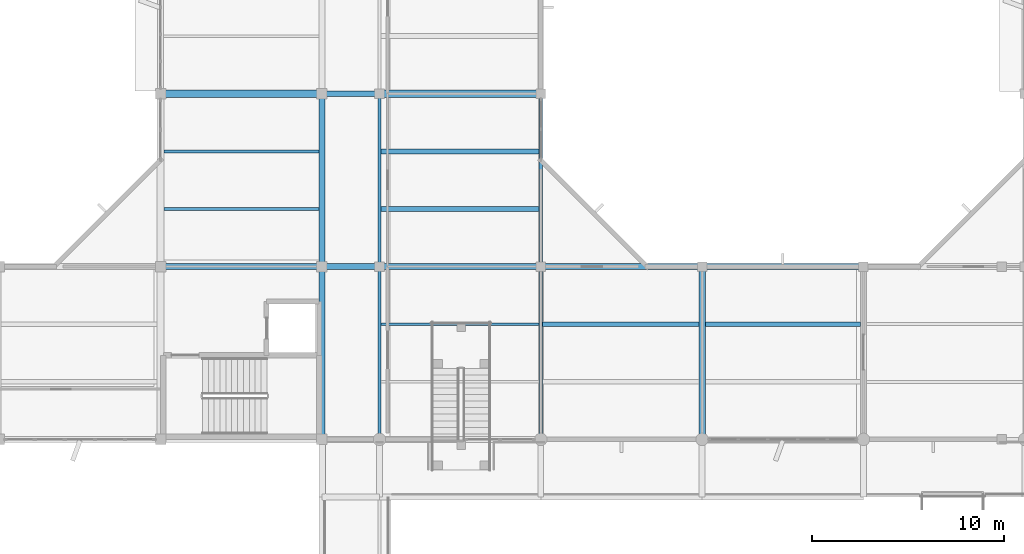
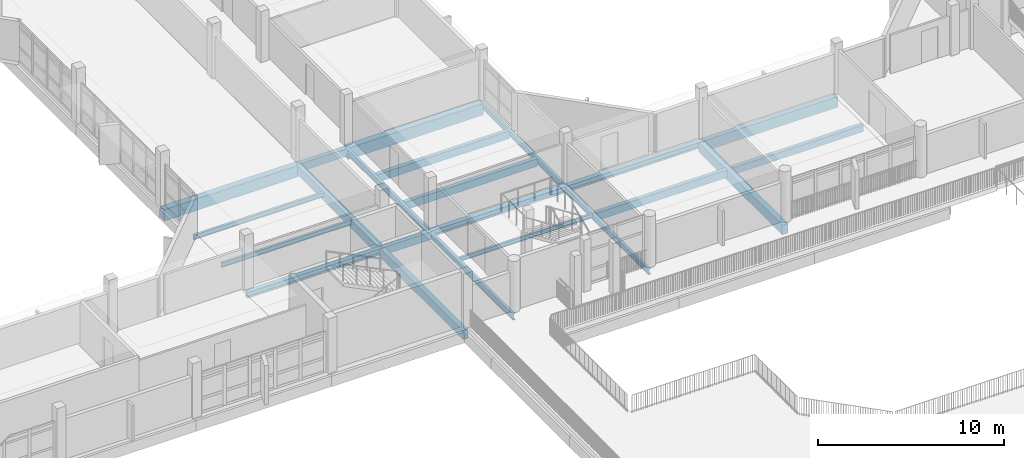
# One storey, part 9 of 51: 22 beams.
"""IFC4 building model written with IfcOpenShell, lengths in metres."""

from ifc_helpers import new_model, si_unit, direction, frame, origin, origin_2d, place, context, subcontext, project, spatial, rectangle, i_section, extrude, material, material_profile, profile_set, type_object, element, save


model = new_model("IFC4")

# Units and contexts
model_context = context("Model", 3, precision=1e-05, world=origin(), true_north=direction((0.0, 1.0)))
body_context = subcontext(model_context, "Body", "Model", "MODEL_VIEW")
ifc_project = project(units=[si_unit("LENGTHUNIT", "METRE"), si_unit("AREAUNIT", "SQUARE_METRE"), si_unit("VOLUMEUNIT", "CUBIC_METRE"), si_unit("PLANEANGLEUNIT", "RADIAN"), si_unit("MASSUNIT", "GRAM", prefix="KILO")], contexts=[model_context])

# Site, building, storey
site_placement = place(None, origin())
site = spatial("IfcSite", under=ifc_project, at=site_placement, CompositionType="ELEMENT")
building_placement = place(site_placement, origin())
building = spatial("IfcBuilding", under=site, at=building_placement, Name="Vanh Quang Courtyard School", CompositionType="ELEMENT")
storey_placement = place(building_placement, frame((0.0, 0.0, 11.39990234375)))
storey = spatial("IfcBuildingStorey", under=building, at=storey_placement, Name="L03", CompositionType="ELEMENT", Elevation=11.39990234375)

# Beams
ifc_material_1 = material(Name="Concrete C35/45", Category="concrete")
ifc_material_profile_1 = material_profile(ifc_material_1, rectangle(XDim=0.300048828125, YDim=0.5, at=origin_2d()), Name="RC-BM 300x500")
ifc_profile_set_1 = profile_set([ifc_material_profile_1], Name="Concrete C35/45")
beam_type_1 = type_object("IfcBeamType", Name="BM-RC-300x500", PredefinedType="BEAM", material=ifc_profile_set_1)
for number, where, z_axis, x_axis, name in (
    (1, (74.39990234375, 41.39990234375, -0.5498046875), (1.0, 0.0, 0.0), (0.0, 1.0, 0.0), "Beam B-08 (L03)"),
    (2, (74.39990234375, 50.39990234375, -0.5498046875), (1.0, 0.0, 0.0), (0.0, 1.0, 0.0), "Beam B-08 (L03)"),
):
    element("IfcBeam", number, at=place(storey_placement, frame(where, z_axis=z_axis, x_axis=x_axis)), inside=storey, type_object=beam_type_1, Name=name, PredefinedType="BEAM", context=body_context, shape_type="SweptSolid", body=[
        extrude(rectangle(XDim=0.300048828125, YDim=0.5, at=origin_2d()), origin(), (0.0, 0.0, 1.0), 3.0),
    ])
ifc_material_profile_2 = material_profile(ifc_material_1, rectangle(XDim=0.300048828125, YDim=0.60009765625, at=origin_2d()), Name="RC-BM 300x600")
ifc_profile_set_2 = profile_set([ifc_material_profile_2], Name="Concrete C35/45")
beam_type_2 = type_object("IfcBeamType", Name="BM-RC-300x600", PredefinedType="BEAM", material=ifc_profile_set_2)
for number, where, z_axis, x_axis, name in (
    (3, (74.39990234375, 32.39990234375, -0.619873046875), (0.0, 1.0, 0.0), (-1.0, 0.0, 0.0), "Beam B-06 (L03)"),
    (4, (74.39990234375, 41.39990234375, -0.599853515625), (0.0, 1.0, 0.0), (-1.0, 0.0, 0.0), "Beam B-06 (L03)"),
):
    element("IfcBeam", number, at=place(storey_placement, frame(where, z_axis=z_axis, x_axis=x_axis)), inside=storey, type_object=beam_type_2, Name=name, PredefinedType="BEAM", context=body_context, shape_type="SweptSolid", body=[
        extrude(rectangle(XDim=0.300048828125, YDim=0.60009765625, at=origin_2d()), origin(), (0.0, 0.0, 1.0), 9.0),
    ])
ifc_material_profile_3 = material_profile(ifc_material_1, rectangle(XDim=0.35009765625, YDim=0.64990234375, at=origin_2d()), Name="RC-BM 350x650")
ifc_profile_set_3 = profile_set([ifc_material_profile_3], Name="Concrete C35/45")
beam_type_3 = type_object("IfcBeamType", Name="BM-RC-350x650", PredefinedType="BEAM", material=ifc_profile_set_3)
beam_1_placement = place(storey_placement, frame((94.199951171875, 32.39990234375, -0.64501953125), z_axis=(0.0, 1.0, 0.0), x_axis=(-1.0, 0.0, 0.0)))
element("IfcBeam", 5, at=beam_1_placement, inside=storey, type_object=beam_type_3, Name="Beam B-05 (L03)", PredefinedType="BEAM", context=body_context, shape_type="SweptSolid", body=[
    extrude(rectangle(XDim=0.35009765625, YDim=0.64990234375, at=origin_2d()), origin(), (0.0, 0.0, 1.0), 9.0),
])
ifc_material_profile_4 = material_profile(ifc_material_1, rectangle(XDim=0.39990234375, YDim=0.75, at=origin_2d()), Name="RC-BM 400x750")
ifc_profile_set_4 = profile_set([ifc_material_profile_4], Name="Concrete C35/45")
beam_type_4 = type_object("IfcBeamType", Name="BM-RC-400x750", PredefinedType="BEAM", material=ifc_profile_set_4)
beam_2_placement = place(storey_placement, frame((66.0, 50.39990234375, -0.6748046875), z_axis=(1.0, 0.0, 0.0), x_axis=(0.0, 1.0, 0.0)))
element("IfcBeam", 6, at=beam_2_placement, inside=storey, type_object=beam_type_4, Name="Beam B-03 (L03)", PredefinedType="BEAM", context=body_context, shape_type="SweptSolid", body=[
    extrude(rectangle(XDim=0.39990234375, YDim=0.75, at=origin_2d()), origin(), (0.0, 0.0, 1.0), 8.39990234375),
])
beam_3_placement = place(storey_placement, frame((77.39990234375, 50.39990234375, -0.635009765625), z_axis=(1.0, 0.0, 0.0), x_axis=(0.0, 1.0, 0.0)))
element("IfcBeam", 7, at=beam_3_placement, inside=storey, type_object=beam_type_4, Name="Beam B-03 (L03)", PredefinedType="BEAM", context=body_context, shape_type="SweptSolid", body=[
    extrude(rectangle(XDim=0.39990234375, YDim=0.75, at=origin_2d()), origin(), (0.0, 0.0, 1.0), 8.400146484375),
])
ifc_material_profile_5 = material_profile(ifc_material_1, rectangle(XDim=0.300048828125, YDim=0.699951171875, at=origin_2d()), Name="RC-SP 300x700")
ifc_profile_set_5 = profile_set([ifc_material_profile_5], Name="Concrete C35/45")
beam_type_5 = type_object("IfcBeamType", Name="BM-SP-300x700", PredefinedType="SPANDREL", material=ifc_profile_set_5)
beam_4_placement = place(storey_placement, frame((94.199951171875, 41.39990234375, -0.60986328125), z_axis=(1.0, 0.0, 0.0), x_axis=(0.0, 1.0, 0.0)))
element("IfcBeam", 8, at=beam_4_placement, inside=storey, type_object=beam_type_5, Name="Beam BS-01 (L03)", PredefinedType="SPANDREL", context=body_context, shape_type="SweptSolid", body=[
    extrude(rectangle(XDim=0.300048828125, YDim=0.699951171875, at=origin_2d()), origin(), (0.0, 0.0, 1.0), 8.400146484375),
])
ifc_material_2 = material(Name="Structural steel EN 10025-2 S355J2", Category="steel")
ifc_material_profile_6 = material_profile(ifc_material_2, i_section(OverallWidth=0.300048828125, OverallDepth=0.389892578125, WebThickness=0.010986328125, FlangeThickness=0.01904296875, FilletRadius=0.027099609375, at=origin_2d()), Name="HEA 400")
ifc_profile_set_6 = profile_set([ifc_material_profile_6], Name="Structural steel EN 10025-2 S355J2")
beam_type_6 = type_object("IfcBeamType", Name="BM-STL-HEA400", PredefinedType="BEAM", material=ifc_profile_set_6)
beam_5_placement = place(storey_placement, frame((66.0, 41.39990234375, -0.494873046875), z_axis=(1.0, 0.0, 0.0), x_axis=(0.0, 1.0, 0.0)))
element("IfcBeam", 9, at=beam_5_placement, inside=storey, type_object=beam_type_6, Name="Beam SB-08 (L03)", PredefinedType="BEAM", context=body_context, shape_type="SweptSolid", body=[
    extrude(i_section(OverallWidth=0.300048828125, OverallDepth=0.389892578125, WebThickness=0.010986328125, FlangeThickness=0.01904296875, FilletRadius=0.027099609375, at=origin_2d()), origin(), (0.0, 0.0, 1.0), 8.39990234375),
])
beam_6_placement = place(storey_placement, frame((77.39990234375, 41.39990234375, -0.454833984375), z_axis=(1.0, 0.0, 0.0), x_axis=(0.0, 1.0, 0.0)))
element("IfcBeam", 10, at=beam_6_placement, inside=storey, type_object=beam_type_6, Name="Beam SB-08 (L03)", PredefinedType="BEAM", context=body_context, shape_type="SweptSolid", body=[
    extrude(i_section(OverallWidth=0.300048828125, OverallDepth=0.389892578125, WebThickness=0.010986328125, FlangeThickness=0.01904296875, FilletRadius=0.027099609375, at=origin_2d()), origin(), (0.0, 0.0, 1.0), 8.400146484375),
])
beam_7_placement = place(storey_placement, frame((85.800048828125, 41.39990234375, -0.454833984375), z_axis=(1.0, 0.0, 0.0), x_axis=(0.0, 1.0, 0.0)))
element("IfcBeam", 11, at=beam_7_placement, inside=storey, type_object=beam_type_6, Name="Beam SB-08 (L03)", PredefinedType="BEAM", context=body_context, shape_type="SweptSolid", body=[
    extrude(i_section(OverallWidth=0.300048828125, OverallDepth=0.389892578125, WebThickness=0.010986328125, FlangeThickness=0.01904296875, FilletRadius=0.027099609375, at=origin_2d()), origin(), (0.0, 0.0, 1.0), 8.39990234375),
])
ifc_material_profile_7 = material_profile(ifc_material_2, i_section(OverallWidth=0.169921875, OverallDepth=0.360107421875, WebThickness=0.008056640625, FlangeThickness=0.0126953125, FilletRadius=0.01806640625, at=origin_2d()), Name="IPE 360")
ifc_profile_set_7 = profile_set([ifc_material_profile_7], Name="Structural steel EN 10025-2 S355J2")
beam_type_7 = type_object("IfcBeamType", Name="BM-STL-IPE360", PredefinedType="BEAM", material=ifc_profile_set_7)
for number, where, z_axis, x_axis, name in (
    (12, (85.800048828125, 32.39990234375, -0.5), (0.0, 1.0, 0.0), (-1.0, 0.0, 0.0), "Beam SB-06 (L03)"),
    (13, (85.800048828125, 41.39990234375, -0.43994140625), (0.0, 1.0, 0.0), (-1.0, 0.0, 0.0), "Beam SB-06 (L03)"),
):
    element("IfcBeam", number, at=place(storey_placement, frame(where, z_axis=z_axis, x_axis=x_axis)), inside=storey, type_object=beam_type_7, Name=name, PredefinedType="BEAM", context=body_context, shape_type="SweptSolid", body=[
        extrude(i_section(OverallWidth=0.169921875, OverallDepth=0.360107421875, WebThickness=0.008056640625, FlangeThickness=0.0126953125, FilletRadius=0.01806640625, at=origin_2d()), origin(), (0.0, 0.0, 1.0), 9.0),
    ])
ifc_material_profile_8 = material_profile(ifc_material_2, i_section(OverallWidth=0.179931640625, OverallDepth=0.39990234375, WebThickness=0.008544921875, FlangeThickness=0.013427734375, FilletRadius=0.02099609375, at=origin_2d()), Name="IPE 400")
ifc_profile_set_8 = profile_set([ifc_material_profile_8], Name="Structural steel EN 10025-2 S355J2")
beam_type_8 = type_object("IfcBeamType", Name="BM-STL-IPE400", PredefinedType="BEAM", material=ifc_profile_set_8)
for number, where, z_axis, x_axis, name in (
    (14, (77.39990234375, 32.39990234375, -0.52001953125), (0.0, 1.0, 0.0), (-1.0, 0.0, 0.0), "Beam SB-05 (L03)"),
    (15, (77.39990234375, 41.39990234375, -0.4599609375), (0.0, 1.0, 0.0), (-1.0, 0.0, 0.0), "Beam SB-05 (L03)"),
):
    element("IfcBeam", number, at=place(storey_placement, frame(where, z_axis=z_axis, x_axis=x_axis)), inside=storey, type_object=beam_type_8, Name=name, PredefinedType="BEAM", context=body_context, shape_type="SweptSolid", body=[
        extrude(i_section(OverallWidth=0.179931640625, OverallDepth=0.39990234375, WebThickness=0.008544921875, FlangeThickness=0.013427734375, FilletRadius=0.02099609375, at=origin_2d()), origin(), (0.0, 0.0, 1.0), 9.0),
    ])
ifc_material_3 = material(Name="Concrete C30/37", Category="concrete")
ifc_material_profile_9 = material_profile(ifc_material_3, rectangle(XDim=0.25, YDim=0.449951171875, at=origin_2d()), Name="RC-JST 250x450")
ifc_profile_set_9 = profile_set([ifc_material_profile_9], Name="Concrete C30/37")
beam_type_9 = type_object("IfcBeamType", Name="JST-RC-250x450", PredefinedType="JOIST", material=ifc_profile_set_9)
beam_8_placement = place(storey_placement, frame((94.375, 38.39990234375, -0.48486328125), z_axis=(1.0, 0.0, 0.0), x_axis=(0.0, 1.0, 0.0)))
element("IfcBeam", 16, at=beam_8_placement, inside=storey, type_object=beam_type_9, Name="Beam BJ-02 (L03)", PredefinedType="JOIST", context=body_context, shape_type="SweptSolid", body=[
    extrude(rectangle(XDim=0.25, YDim=0.449951171875, at=origin_2d()), origin(), (0.0, 0.0, 1.0), 8.074951171875),
])
ifc_material_profile_10 = material_profile(ifc_material_3, rectangle(XDim=0.25, YDim=0.5, at=origin_2d()), Name="RC-JST 250x500")
ifc_profile_set_10 = profile_set([ifc_material_profile_10], Name="Concrete C30/37")
beam_type_10 = type_object("IfcBeamType", Name="JST-RC-250x500", PredefinedType="JOIST", material=ifc_profile_set_10)
for number, where, z_axis, x_axis, name in (
    (17, (77.489990234375, 44.39990234375, -0.510009765625), (1.0, 0.0, 0.0), (0.0, 1.0, 0.0), "Beam BJ-01 (L03)"),
    (18, (77.489990234375, 47.39990234375, -0.510009765625), (1.0, 0.0, 0.0), (0.0, 1.0, 0.0), "Beam BJ-01 (L03)"),
):
    element("IfcBeam", number, at=place(storey_placement, frame(where, z_axis=z_axis, x_axis=x_axis)), inside=storey, type_object=beam_type_10, Name=name, PredefinedType="JOIST", context=body_context, shape_type="SweptSolid", body=[
        extrude(rectangle(XDim=0.25, YDim=0.5, at=origin_2d()), origin(), (0.0, 0.0, 1.0), 8.22509765625),
    ])
beam_9_placement = place(storey_placement, frame((85.885009765625, 38.39990234375, -0.510009765625), z_axis=(1.0, 0.0, 0.0), x_axis=(0.0, 1.0, 0.0)))
element("IfcBeam", 19, at=beam_9_placement, inside=storey, type_object=beam_type_10, Name="Beam BJ-01 (L03)", PredefinedType="JOIST", context=body_context, shape_type="SweptSolid", body=[
    extrude(rectangle(XDim=0.25, YDim=0.5, at=origin_2d()), origin(), (0.0, 0.0, 1.0), 8.139892578125),
])
ifc_material_profile_11 = material_profile(ifc_material_2, i_section(OverallWidth=0.135009765625, OverallDepth=0.27001953125, WebThickness=0.006591796875, FlangeThickness=0.01025390625, FilletRadius=0.014892578125, at=origin_2d()), Name="IPE 270")
ifc_profile_set_11 = profile_set([ifc_material_profile_11], Name="Structural steel EN 10025-2 S355J2")
beam_type_11 = type_object("IfcBeamType", Name="JST-STL-IPE270", PredefinedType="JOIST", material=ifc_profile_set_11)
beam_10_placement = place(storey_placement, frame((77.489990234375, 38.39990234375, -0.39501953125), z_axis=(1.0, 0.0, 0.0), x_axis=(0.0, 1.0, 0.0)))
element("IfcBeam", 20, at=beam_10_placement, inside=storey, type_object=beam_type_11, Name="Beam SJ-03 (L03)", PredefinedType="JOIST", context=body_context, shape_type="SweptSolid", body=[
    extrude(i_section(OverallWidth=0.135009765625, OverallDepth=0.27001953125, WebThickness=0.006591796875, FlangeThickness=0.01025390625, FilletRadius=0.014892578125, at=origin_2d()), origin(), (0.0, 0.0, 1.0), 8.22509765625),
])
ifc_material_profile_12 = material_profile(ifc_material_2, i_section(OverallWidth=0.14990234375, OverallDepth=0.300048828125, WebThickness=0.007080078125, FlangeThickness=0.0107421875, FilletRadius=0.014892578125, at=origin_2d()), Name="IPE 300")
ifc_profile_set_12 = profile_set([ifc_material_profile_12], Name="Structural steel EN 10025-2 S355J2")
beam_type_12 = type_object("IfcBeamType", Name="JST-STL-IPE300", PredefinedType="JOIST", material=ifc_profile_set_12)
for number, where, z_axis, x_axis, name in (
    (21, (66.175048828125, 44.39990234375, -0.449951171875), (1.0, 0.0, 0.0), (0.0, 1.0, 0.0), "Beam SJ-02 (L03)"),
    (22, (66.175048828125, 47.39990234375, -0.449951171875), (1.0, 0.0, 0.0), (0.0, 1.0, 0.0), "Beam SJ-02 (L03)"),
):
    element("IfcBeam", number, at=place(storey_placement, frame(where, z_axis=z_axis, x_axis=x_axis)), inside=storey, type_object=beam_type_12, Name=name, PredefinedType="JOIST", context=body_context, shape_type="SweptSolid", body=[
        extrude(i_section(OverallWidth=0.14990234375, OverallDepth=0.300048828125, WebThickness=0.007080078125, FlangeThickness=0.0107421875, FilletRadius=0.014892578125, at=origin_2d()), origin(), (0.0, 0.0, 1.0), 8.074951171875),
    ])

save(model, "model.ifc")
